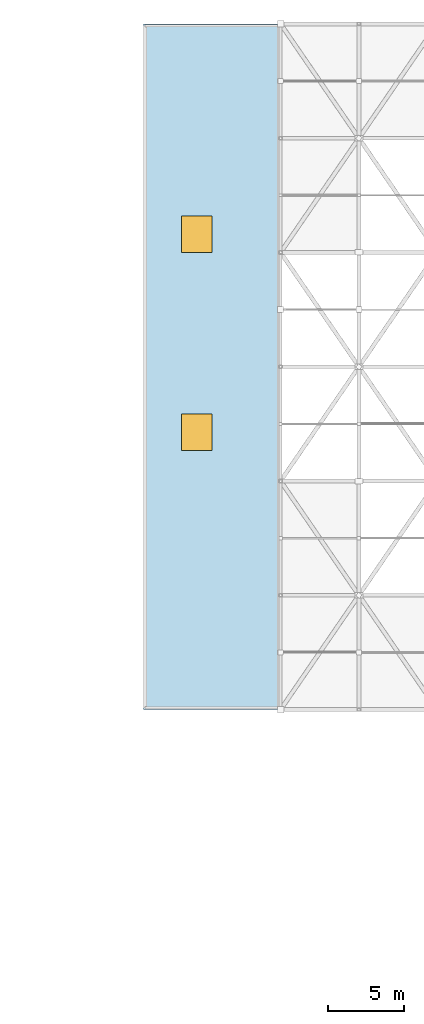
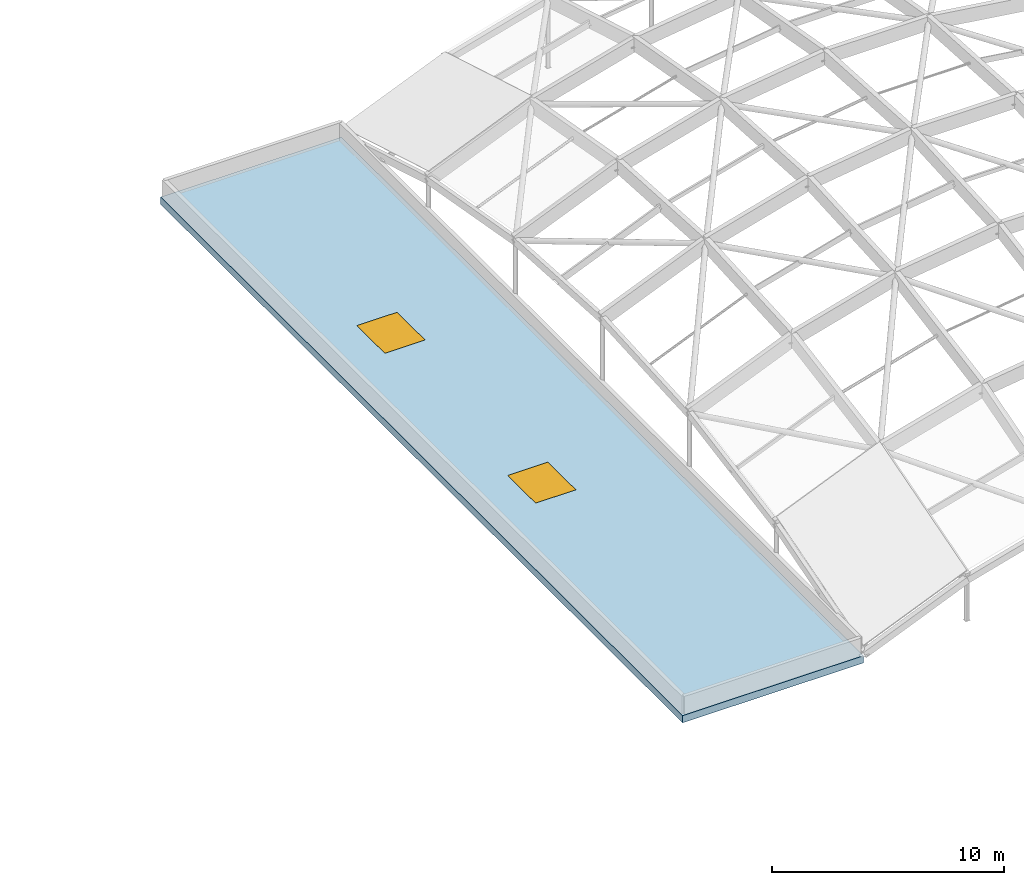
# One storey, part 61 of 81: 2 windows, 1 slab, 2 openings.
"""IFC4 building model written with IfcOpenShell, lengths in metres."""

from ifc_helpers import new_model, si_unit, direction, frame, origin, origin_2d, place, context, subcontext, project, spatial, polyline, rectangle, outline, extrude, material, layer, layer_set, type_object, element, fill, save


model = new_model("IFC4")

# Units and contexts
model_context = context("Model", 3, precision=1e-05, world=origin(), true_north=direction((0.0, 1.0)))
body_context = subcontext(model_context, "Body", "Model", "MODEL_VIEW")
ifc_project = project(units=[si_unit("LENGTHUNIT", "METRE"), si_unit("AREAUNIT", "SQUARE_METRE"), si_unit("VOLUMEUNIT", "CUBIC_METRE"), si_unit("PLANEANGLEUNIT", "RADIAN"), si_unit("MASSUNIT", "GRAM", prefix="KILO")], contexts=[model_context])

# Site, building, storey
site_placement = place(None, origin())
site = spatial("IfcSite", under=ifc_project, at=site_placement, CompositionType="ELEMENT")
building_placement = place(site_placement, origin())
building = spatial("IfcBuilding", under=site, at=building_placement, Name="Marnridge Secondary College", CompositionType="ELEMENT")
storey_placement = place(building_placement, frame((0.0, 0.0, 8.5)))
storey = spatial("IfcBuildingStorey", under=building, at=storey_placement, Name="L02", CompositionType="ELEMENT", Elevation=8.5)

# Slab, openings, windows
ifc_material_1 = material(Name="Concrete C40/50 (AS 3600 N40, 40 MPa)", Category="concrete")
ifc_layer = layer(ifc_material_1, 0.3798828125)
ifc_layer_set = layer_set([ifc_layer], Name="SL-ROOF-380")
slab_type = type_object("IfcSlabType", Name="SL-ROOF-380", PredefinedType="ROOF", material=ifc_layer_set)
slab_placement = place(storey_placement, frame((0.0, 0.0, -0.3798828125)))
slab = element("IfcSlab", 1, at=slab_placement, inside=storey, type_object=slab_type, Name="Roof slab SR-L02-066", PredefinedType="ROOF", context=body_context, shape_type="SweptSolid", body=[
    extrude(outline(polyline([(126.0, 75.0), (135.0, 75.0), (135.0, 120.0), (126.0, 120.0), (126.0, 75.0)]), holes=[polyline([(128.5, 92.0), (130.5, 92.0), (130.5, 94.39990234375), (128.5, 94.39990234375), (128.5, 92.0)]), polyline([(128.5, 105.0), (130.5, 105.0), (130.5, 107.39990234375), (128.5, 107.39990234375), (128.5, 105.0)])]), origin(), (0.0, 0.0, 1.0), 0.3798828125),
])
opening_1_placement = place(slab_placement, frame((129.5, 93.199951171875, 0.0)))
opening_1 = element("IfcOpeningElement", 2, at=opening_1_placement, cuts=slab, Name="Opening SK-001", PredefinedType="OPENING", context=body_context, shape_type="SweptSolid", body=[
    extrude(rectangle(XDim=2.0, YDim=2.39990234375, at=origin_2d()), frame((0.0, 0.0, -0.010009765625)), (0.0, 0.0, 1.0), 0.39990234375),
])
opening_2_placement = place(slab_placement, frame((129.5, 106.199951171875, 0.0)))
opening_2 = element("IfcOpeningElement", 3, at=opening_2_placement, cuts=slab, Name="Opening SK-002", PredefinedType="OPENING", context=body_context, shape_type="SweptSolid", body=[
    extrude(rectangle(XDim=2.0, YDim=2.39990234375, at=origin_2d()), frame((0.0, 0.0, -0.010009765625)), (0.0, 0.0, 1.0), 0.39990234375),
])
ifc_material_2 = material(Name="Thermally broken insulated roof skylight", Category="glass")
window_type = type_object("IfcWindowType", Name="SK-ROOF-2024", PartitioningType="SINGLE_PANEL", PredefinedType="SKYLIGHT", material=ifc_material_2)
window_1_placement = place(opening_1_placement, origin())
window_1 = element("IfcWindow", 4, at=window_1_placement, inside=storey, type_object=window_type, Name="Roof skylight SK-001", OverallHeight=2.39990234375, OverallWidth=2.0, PartitioningType="SINGLE_PANEL", PredefinedType="SKYLIGHT", context=body_context, shape_type="SweptSolid", body=[
    extrude(rectangle(XDim=2.0, YDim=2.39990234375, at=origin_2d()), origin(), (0.0, 0.0, 1.0), 0.3798828125),
])
fill(opening_1, window_1)
window_2_placement = place(opening_2_placement, origin())
window_2 = element("IfcWindow", 5, at=window_2_placement, inside=storey, type_object=window_type, Name="Roof skylight SK-002", OverallHeight=2.39990234375, OverallWidth=2.0, PartitioningType="SINGLE_PANEL", PredefinedType="SKYLIGHT", context=body_context, shape_type="SweptSolid", body=[
    extrude(rectangle(XDim=2.0, YDim=2.39990234375, at=origin_2d()), origin(), (0.0, 0.0, 1.0), 0.3798828125),
])
fill(opening_2, window_2)

save(model, "model.ifc")
